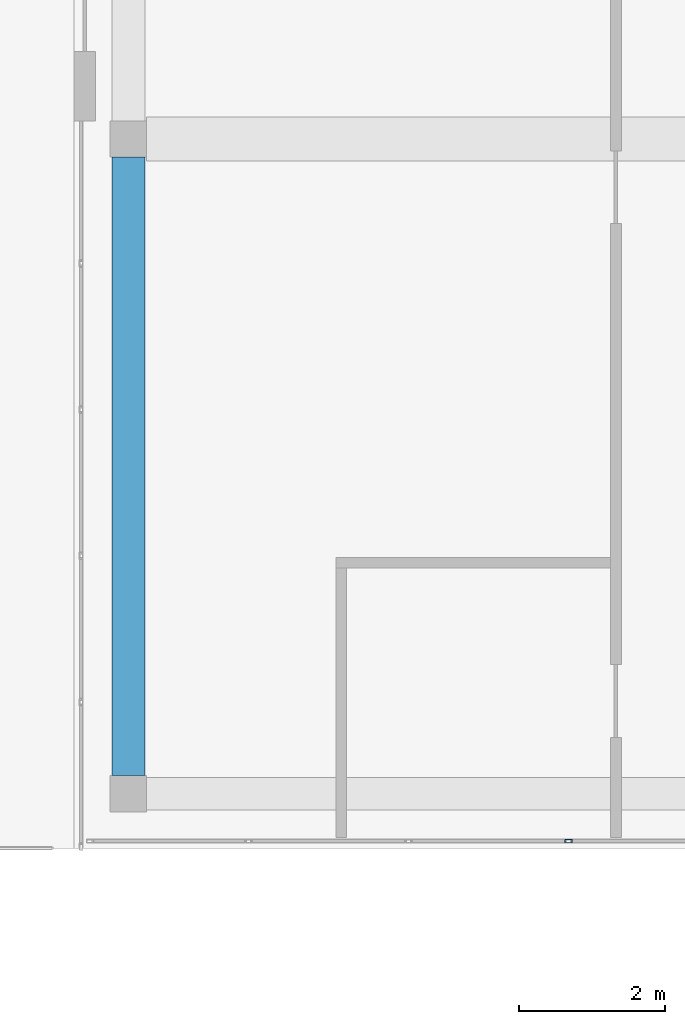
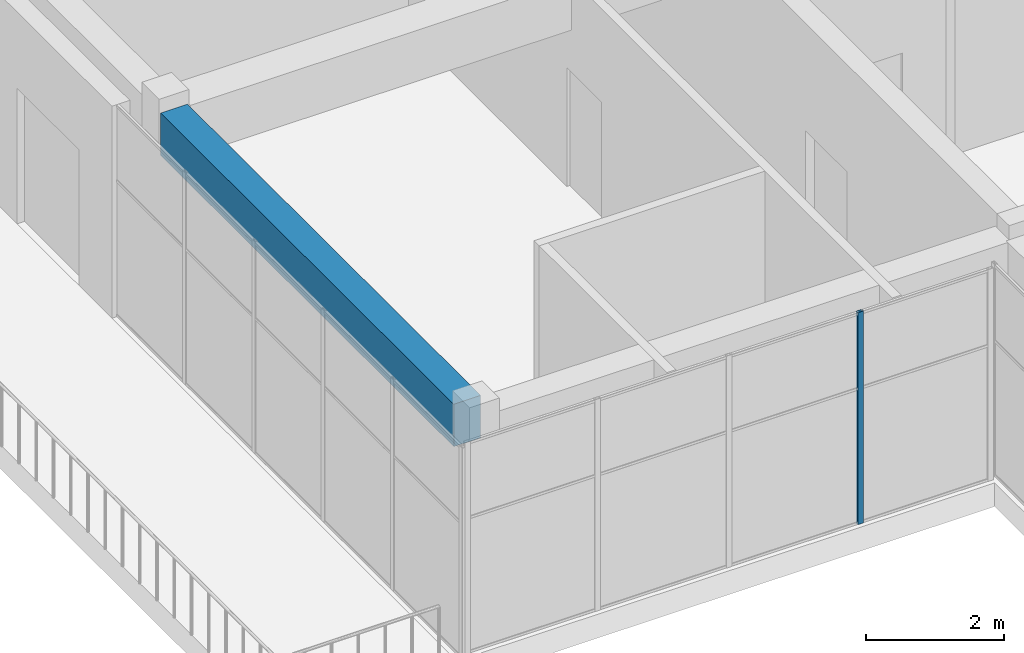
# One storey, part 5 of 34: 1 beam, 1 member, 1 element without a shape of its own.
"""IFC4 building model written with IfcOpenShell, lengths in metres."""

from ifc_helpers import new_model, si_unit, direction, frame, origin, origin_2d, place, context, subcontext, project, spatial, rectangle, hollow_rectangle, extrude, material, layer, layer_set, material_profile, profile_set, type_object, element, aggregate, save


model = new_model("IFC4")

# Units and contexts
model_context = context("Model", 3, precision=1e-05, world=origin(), true_north=direction((0.0, 1.0)))
body_context = subcontext(model_context, "Body", "Model", "MODEL_VIEW")
ifc_project = project(units=[si_unit("LENGTHUNIT", "METRE"), si_unit("AREAUNIT", "SQUARE_METRE"), si_unit("VOLUMEUNIT", "CUBIC_METRE"), si_unit("PLANEANGLEUNIT", "RADIAN"), si_unit("MASSUNIT", "GRAM", prefix="KILO")], contexts=[model_context])

# Site, building, storey
site_placement = place(None, origin())
site = spatial("IfcSite", under=ifc_project, at=site_placement, CompositionType="ELEMENT")
building_placement = place(site_placement, origin())
building = spatial("IfcBuilding", under=site, at=building_placement, Name="Tuart Plaza Theatre", CompositionType="ELEMENT")
storey_placement = place(building_placement, frame((0.0, 0.0, 53.5)))
storey = spatial("IfcBuildingStorey", under=building, at=storey_placement, Name="L13", CompositionType="ELEMENT", Elevation=53.5)

# Beam
ifc_material_1 = material(Name="Concrete N40 (40 MPa)", Category="concrete")
ifc_material_profile_1 = material_profile(ifc_material_1, rectangle(XDim=0.449951171875, YDim=0.75, at=origin_2d()), Name="BEAM 450x750 Concrete N40 (40 MPa)")
ifc_profile_set_1 = profile_set([ifc_material_profile_1], Name="Concrete N40 (40 MPa)")
beam_type = type_object("IfcBeamType", Name="BEAM 450x750 Concrete N40 (40 MPa)", PredefinedType="BEAM", material=ifc_profile_set_1)
beam_placement = place(storey_placement, frame((114.0, 65.25, 3.375), z_axis=(0.0, 1.0, 0.0), x_axis=(-1.0, 0.0, 0.0)))
element("IfcBeam", 1, at=beam_placement, inside=storey, type_object=beam_type, Name="RB318", PredefinedType="BEAM", context=body_context, shape_type="SweptSolid", body=[
    extrude(rectangle(XDim=0.449951171875, YDim=0.75, at=origin_2d()), origin(), (0.0, 0.0, 1.0), 8.5),
])

# Curtain wall, member
ifc_material_2 = material(Name="Aluminium and glass", Category="aluminium")
ifc_layer = layer(ifc_material_2, 0.10009765625)
ifc_layer_set = layer_set([ifc_layer], Name="CURTAIN WALL 2000 module")
curtain_wall_type = type_object("IfcCurtainWallType", Name="CURTAIN WALL 2000 module", PredefinedType="NOTDEFINED", material=ifc_layer_set)
curtain_wall_placement = place(storey_placement, origin())
curtain_wall = element("IfcCurtainWall", 2, at=curtain_wall_placement, inside=storey, type_object=curtain_wall_type, Name="CW120", PredefinedType="NOTDEFINED")
ifc_material_3 = material(Name="Aluminium 6063-T5", Category="aluminium")
ifc_material_profile_2 = material_profile(ifc_material_3, hollow_rectangle(XDim=0.050048828125, YDim=0.10009765625, WallThickness=0.00390625, InnerFilletRadius=0.00390625, OuterFilletRadius=0.008056640625, at=origin_2d()), Name="RHS 100x50x4")
ifc_profile_set_2 = profile_set([ifc_material_profile_2], Name="Aluminium 6063-T5")
member_type = type_object("IfcMemberType", Name="MULLION RHS 100x50x4", PredefinedType="MULLION", material=ifc_profile_set_2)
member_placement = place(storey_placement, frame((120.050048828125, 64.35009765625, 0.0), z_axis=(0.0, 0.0, 1.0), x_axis=(0.0, 1.0, 0.0)))
member = element("IfcMember", 3, at=member_placement, type_object=member_type, Name="CW120 mullion 4", PredefinedType="MULLION", context=body_context, shape_type="SweptSolid", body=[
    extrude(hollow_rectangle(XDim=0.050048828125, YDim=0.10009765625, WallThickness=0.00390625, InnerFilletRadius=0.00390625, OuterFilletRadius=0.008056640625, at=origin_2d()), origin(), (0.0, 0.0, 1.0), 3.75),
])
aggregate(curtain_wall, [member])

save(model, "model.ifc")
